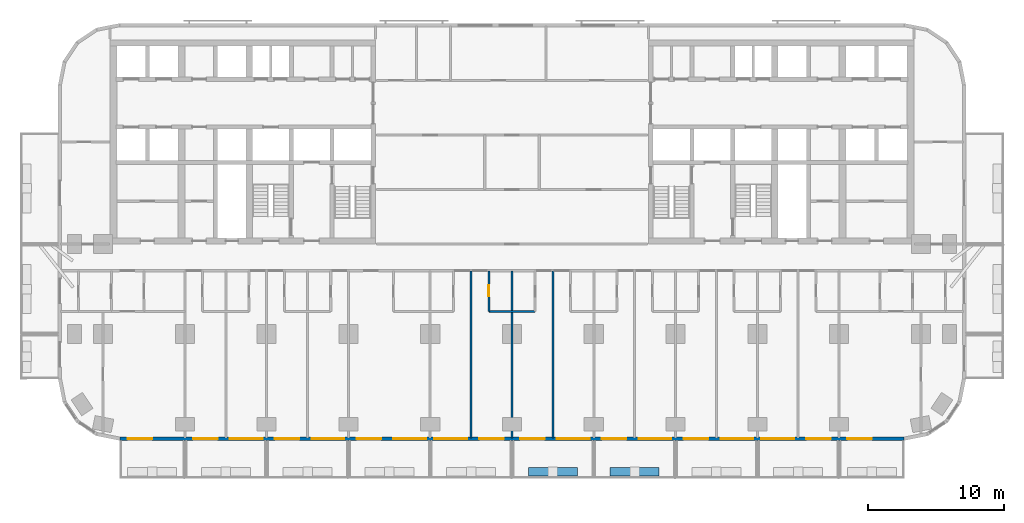
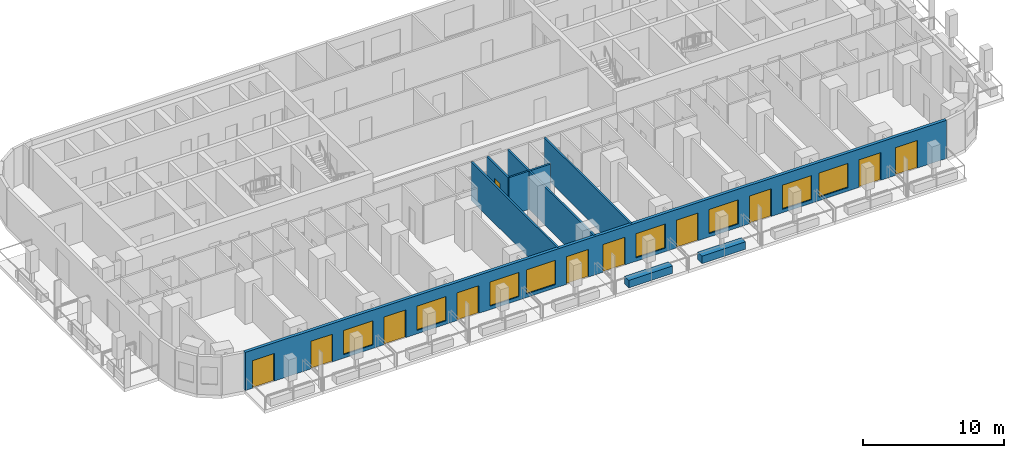
# One storey, part 5 of 15: 11 doors, 8 walls, 8 windows, 19 openings.
"""IFC4 building model written with IfcOpenShell, lengths in metres."""

import ifcopenshell
import ifcopenshell.guid

model = None  # the IFC model being written
_history = None  # IfcOwnerHistory: only IFC2X3 demands one
_inside = {}  # id of a spatial element -> (the spatial element, [elements in it])
_under = {}  # id of a project, library or spatial element -> (it, [spatial elements below it])
_declared = {}  # id of a project -> (the project, [libraries it declares])
_typed = {}  # id of a type object -> (the type object, [elements of that type])
_made_of = {}  # id of a material, layer set ... -> (it, [elements and type objects made of it])


def new_model(schema):
    """Start an empty IFC model of exactly this schema.

    Asked for "IFC4X3", IfcOpenShell would pick the latest addendum, in which some entities
    have other attributes; the version numbers below select the first issue.
    IFC2X3 requires an IfcOwnerHistory on every rooted entity: one is made here for all.
    """
    global model, _history
    if schema == "IFC4X3":
        model = ifcopenshell.file(schema_version=(4, 3, 0, 0))
    else:
        model = ifcopenshell.file(schema=schema)
    _inside.clear()
    _under.clear()
    _declared.clear()
    _typed.clear()
    _made_of.clear()
    _history = None
    if model.schema == "IFC2X3":
        org = make("IfcOrganization", Name="unknown")
        user = make(
            "IfcPersonAndOrganization",
            ThePerson=make("IfcPerson", FamilyName="unknown"),
            TheOrganization=org,
        )
        app = make(
            "IfcApplication",
            ApplicationDeveloper=org,
            Version="unknown",
            ApplicationFullName="unknown",
            ApplicationIdentifier="unknown",
        )
        _history = make(
            "IfcOwnerHistory",
            OwningUser=user,
            OwningApplication=app,
            ChangeAction="ADDED",
            CreationDate=0,
        )
    return model


def make(cls, **values):
    """One entity of the class cls with the attributes given. An attribute that is None is left unset."""
    return model.create_entity(
        cls, **{name: value for name, value in values.items() if value is not None}
    )


def rooted(cls, **values):
    """An entity with a GlobalId (a new one), such as an element, a storey or a relation."""
    return make(cls, GlobalId=ifcopenshell.guid.new(), OwnerHistory=_history, **values)


def si_unit(unit_type, name, prefix=None):
    """IfcSIUnit, for example si_unit("LENGTHUNIT", "METRE", prefix="MILLI")."""
    return make("IfcSIUnit", UnitType=unit_type, Prefix=prefix, Name=name)


def assignment(units):
    """IfcUnitAssignment: the units of a project."""
    return None if units is None else make("IfcUnitAssignment", Units=units)


def point(xyz):
    """IfcCartesianPoint."""
    return None if xyz is None else make("IfcCartesianPoint", Coordinates=xyz)


def direction(xyz):
    """IfcDirection."""
    return None if xyz is None else make("IfcDirection", DirectionRatios=xyz)


def frame(location, z_axis=None, x_axis=None):
    """IfcAxis2Placement3D, a coordinate frame: its origin and axes. An axis left out is left unset."""
    return make(
        "IfcAxis2Placement3D",
        Location=point(location),
        Axis=direction(z_axis),
        RefDirection=direction(x_axis),
    )


def frame_2d(location, x_axis=None):
    """IfcAxis2Placement2D, a coordinate frame in the plane: its origin and x axis."""
    return make(
        "IfcAxis2Placement2D", Location=point(location), RefDirection=direction(x_axis)
    )


def origin():
    """The frame at (0, 0, 0) with its axes left unset."""
    return frame((0.0, 0.0, 0.0))


def place(relative_to, where):
    """IfcLocalPlacement: puts the frame where relative to a parent placement (None: the world)."""
    return make(
        "IfcLocalPlacement", PlacementRelTo=relative_to, RelativePlacement=where
    )


def context(
    kind, dimensions, precision=None, world=None, true_north=None, identifier=None
):
    """IfcGeometricRepresentationContext, for example the 3D "Model" context."""
    return make(
        "IfcGeometricRepresentationContext",
        ContextIdentifier=identifier,
        ContextType=kind,
        CoordinateSpaceDimension=dimensions,
        Precision=precision,
        WorldCoordinateSystem=world,
        TrueNorth=true_north,
    )


def subcontext(parent, identifier, kind, view, scale=None):
    """IfcGeometricRepresentationSubContext, for example "Body" below "Model"."""
    return make(
        "IfcGeometricRepresentationSubContext",
        ContextIdentifier=identifier,
        ContextType=kind,
        ParentContext=parent,
        TargetScale=scale,
        TargetView=view,
    )


def project(units=None, contexts=None):
    """IfcProject with its units and contexts."""
    return rooted(
        "IfcProject",
        Name="project",
        RepresentationContexts=contexts,
        UnitsInContext=assignment(units),
    )


def spatial(cls, under=None, at=None, **own):
    """A site, building, storey or space (cls), placed at a placement, below another one or the project."""
    s = rooted(cls, ObjectPlacement=at, **own)
    if under is not None:
        _under.setdefault(under.id(), (under, []))[1].append(s)
    return s


def profile(cls, at=None, kind="AREA", **sizes):
    """A parametric profile (cls). Its sizes go by their IFC names, for example OverallWidth=200.0."""
    return make(cls, ProfileType=kind, Position=at, **sizes)


def rectangle(**sizes):
    """IfcRectangleProfileDef."""
    return profile("IfcRectangleProfileDef", **sizes)


def extrude(swept, where, along, depth):
    """IfcExtrudedAreaSolid: the profile swept, set in the frame where, extruded along a direction by depth."""
    return make(
        "IfcExtrudedAreaSolid",
        SweptArea=swept,
        Position=where,
        ExtrudedDirection=direction(along),
        Depth=depth,
    )


def shape(context_of_items, identifier, shape_type, items):
    """IfcShapeRepresentation: the items that make up one representation, for example the "Body"."""
    return make(
        "IfcShapeRepresentation",
        ContextOfItems=context_of_items,
        RepresentationIdentifier=identifier,
        RepresentationType=shape_type,
        Items=items,
    )


def material(Name=None, Category=None):
    """IfcMaterial."""
    return make("IfcMaterial", Name=Name, Category=Category)


def layer(
    of_material, thickness, ventilated=None, Name=None, Category=None, Priority=None
):
    """IfcMaterialLayer: one layer of a wall or slab, of a material (None: an air gap)."""
    return make(
        "IfcMaterialLayer",
        Material=of_material,
        LayerThickness=thickness,
        IsVentilated=ventilated,
        Name=Name,
        Category=Category,
        Priority=Priority,
    )


def layer_set(layers, Name=None):
    """IfcMaterialLayerSet."""
    return make("IfcMaterialLayerSet", MaterialLayers=layers, LayerSetName=Name)


def made_of(thing, what):
    """Note that an element or type object is made of a material, layer set ...; save() writes the relation."""
    if what is not None:
        _made_of.setdefault(what.id(), (what, []))[1].append(thing)
    return thing


def type_object(cls, material=None, **own):
    """A type object (cls), such as IfcWallType, which elements share."""
    return made_of(rooted(cls, **own), material)


def element(
    cls,
    number,
    at=None,
    inside=None,
    cuts=None,
    type_object=None,
    material=None,
    context=None,
    identifier="Body",
    shape_type=None,
    held_by="IfcProductDefinitionShape",
    body=None,
    shapes=None,
    **own,
):
    """One element of the class cls, such as IfcWall. Its Tag is "e" and its number.

    at: its placement. inside: the storey or other place that contains it. cuts: it is an
    opening in that element (IfcRelVoidsElement). A single representation is given by context,
    identifier, shape_type and body (its items); several are given by shapes. held_by: the class
    of the entity that holds the representations. save() writes the other relations.
    """
    e = rooted(cls, Tag="e%d" % number, ObjectPlacement=at, **own)
    if body is not None:
        shapes = [shape(context, identifier, shape_type, body)]
    if shapes is not None:
        e.Representation = make(held_by, Representations=shapes)
    if inside is not None:
        _inside.setdefault(inside.id(), (inside, []))[1].append(e)
    if cuts is not None:
        rooted(
            "IfcRelVoidsElement", RelatingBuildingElement=cuts, RelatedOpeningElement=e
        )
    if type_object is not None:
        _typed.setdefault(type_object.id(), (type_object, []))[1].append(e)
    return made_of(e, material)


def fill(opening, filler):
    """IfcRelFillsElement: the door or window that sits in an opening."""
    return rooted(
        "IfcRelFillsElement",
        RelatingOpeningElement=opening,
        RelatedBuildingElement=filler,
    )


def aggregate(whole, parts):
    """IfcRelAggregates: a whole, such as a stair, and the parts it consists of."""
    return rooted("IfcRelAggregates", RelatingObject=whole, RelatedObjects=parts)


def save(model, path):
    """Write the relations noted so far, then the file.

    IfcRelAggregates (storeys below a building ...), IfcRelContainedInSpatialStructure (elements
    in a storey), IfcRelDefinesByType, IfcRelAssociatesMaterial and IfcRelDeclares: one each for
    every whole, place, type object, material and project.
    """
    for whole, parts in _under.values():
        aggregate(whole, parts)
    for where, things in _inside.values():
        rooted(
            "IfcRelContainedInSpatialStructure",
            RelatedElements=things,
            RelatingStructure=where,
        )
    for kind, things in _typed.values():
        rooted("IfcRelDefinesByType", RelatedObjects=things, RelatingType=kind)
    for what, things in _made_of.values():
        rooted("IfcRelAssociatesMaterial", RelatedObjects=things, RelatingMaterial=what)
    for by, libraries in _declared.values():
        rooted("IfcRelDeclares", RelatingContext=by, RelatedDefinitions=libraries)
    model.write(path)


model = new_model("IFC4")

# Units and contexts
model_context = context("Model", 3, precision=1e-05, world=origin(), true_north=direction((0.0, 1.0)))
body_context = subcontext(model_context, "Body", "Model", "MODEL_VIEW")
ifc_project = project(units=[si_unit("LENGTHUNIT", "METRE"), si_unit("AREAUNIT", "SQUARE_METRE"), si_unit("VOLUMEUNIT", "CUBIC_METRE"), si_unit("PLANEANGLEUNIT", "RADIAN"), si_unit("MASSUNIT", "GRAM", prefix="KILO")], contexts=[model_context])

# Site, building, storey
site_placement = place(None, origin())
site = spatial("IfcSite", under=ifc_project, at=site_placement, CompositionType="ELEMENT")
building_placement = place(site_placement, origin())
building = spatial("IfcBuilding", under=site, at=building_placement, Name="Torana Hotel and Residences", CompositionType="ELEMENT")
storey_placement = place(building_placement, frame((0.0, 0.0, 24.0)))
storey = spatial("IfcBuildingStorey", under=building, at=storey_placement, Name="L04", CompositionType="ELEMENT", Elevation=24.0)

# Wall, openings, doors, windows
ifc_material_1 = material(Name="Black aluminium composite panel", Category="aluminium")
ifc_layer_1 = layer(ifc_material_1, 0.00390625, Name="Cladding", Category="cladding")
ifc_material_2 = material(Name="Ventilated air cavity")
ifc_layer_2 = layer(ifc_material_2, 0.0400390625, Name="Ventilated cavity", Category="cavity")
ifc_material_3 = material(Name="Mineral wool insulation")
ifc_layer_3 = layer(ifc_material_3, 0.090087890625, Name="Insulation", Category="insulation")
ifc_material_4 = material(Name="Steel S280GD", Category="steel")
ifc_layer_4 = layer(ifc_material_4, 0.092041015625, Name="Steel stud frame", Category="structure")
ifc_material_5 = material(Name="Fire rated plasterboard")
ifc_layer_5 = layer(ifc_material_5, 0.011962890625, Name="Inner board", Category="finish")
ifc_layer_6 = layer(ifc_material_5, 0.011962890625, Name="Second board", Category="finish")
ifc_layer_set_1 = layer_set([ifc_layer_1, ifc_layer_2, ifc_layer_3, ifc_layer_4, ifc_layer_5, ifc_layer_6], Name="EW1 EXTERNAL WALL BLACK METAL CLAD 250")
wall_type_1 = type_object("IfcWallType", Name="EW1 EXTERNAL WALL BLACK METAL CLAD 250", PredefinedType="SOLIDWALL", material=ifc_layer_set_1)
wall_1_placement = place(storey_placement, frame((-28.775390625, -29.27490234375, 0.0), z_axis=(0.0, 0.0, 1.0), x_axis=(1.0, 0.0, 0.0)))
wall_1 = element("IfcWall", 1, at=wall_1_placement, inside=storey, type_object=wall_type_1, Name="External wall L04 e0.14", PredefinedType="SOLIDWALL", context=body_context, shape_type="SweptSolid", body=[
    extrude(rectangle(XDim=57.55078125, YDim=0.25, at=frame_2d((28.775390625, 0.0))), origin(), (0.0, 0.0, 1.0), 3.320068359375),
])
opening_1_placement = place(wall_1_placement, frame((0.575439453125, 0.0, 0.0)))
opening_1 = element("IfcOpeningElement", 2, at=opening_1_placement, cuts=wall_1, Name="Opening L04-E01", PredefinedType="OPENING", context=body_context, shape_type="SweptSolid", body=[
    extrude(rectangle(XDim=1.800048828125, YDim=2.39990234375, at=frame_2d((0.89990234375, 1.199951171875))), frame((0.0, 0.135009765625, 0.0), z_axis=(0.0, -1.0, 0.0), x_axis=(1.0, 0.0, 0.0)), (0.0, 0.0, 1.0), 0.27001953125),
])
opening_2_placement = place(wall_1_placement, frame((5.37548828125, 0.0, 0.0)))
opening_2 = element("IfcOpeningElement", 3, at=opening_2_placement, cuts=wall_1, Name="Opening L04-E02", PredefinedType="OPENING", context=body_context, shape_type="SweptSolid", body=[
    extrude(rectangle(XDim=1.800048828125, YDim=2.39990234375, at=frame_2d((0.89990234375, 1.199951171875))), frame((0.0, 0.135009765625, 0.0), z_axis=(0.0, -1.0, 0.0), x_axis=(1.0, 0.0, 0.0)), (0.0, 0.0, 1.0), 0.27001953125),
])
opening_3_placement = place(wall_1_placement, frame((8.075439453125, 0.0, 0.300048828125)))
opening_3 = element("IfcOpeningElement", 4, at=opening_3_placement, cuts=wall_1, Name="Opening W1", PredefinedType="OPENING", context=body_context, shape_type="SweptSolid", body=[
    extrude(rectangle(XDim=2.39990234375, YDim=2.10009765625, at=frame_2d((1.199951171875, 1.050048828125))), frame((0.0, 0.135009765625, 0.0), z_axis=(0.0, -1.0, 0.0), x_axis=(1.0, 0.0, 0.0)), (0.0, 0.0, 1.0), 0.27001953125),
])
opening_4_placement = place(wall_1_placement, frame((11.37548828125, 0.0, 0.0)))
opening_4 = element("IfcOpeningElement", 5, at=opening_4_placement, cuts=wall_1, Name="Opening L04-E03", PredefinedType="OPENING", context=body_context, shape_type="SweptSolid", body=[
    extrude(rectangle(XDim=1.800048828125, YDim=2.39990234375, at=frame_2d((0.89990234375, 1.199951171875))), frame((0.0, 0.135009765625, 0.0), z_axis=(0.0, -1.0, 0.0), x_axis=(1.0, 0.0, 0.0)), (0.0, 0.0, 1.0), 0.27001953125),
])
opening_5_placement = place(wall_1_placement, frame((14.075439453125, 0.0, 0.300048828125)))
opening_5 = element("IfcOpeningElement", 6, at=opening_5_placement, cuts=wall_1, Name="Opening W1", PredefinedType="OPENING", context=body_context, shape_type="SweptSolid", body=[
    extrude(rectangle(XDim=2.39990234375, YDim=2.10009765625, at=frame_2d((1.199951171875, 1.050048828125))), frame((0.0, 0.135009765625, 0.0), z_axis=(0.0, -1.0, 0.0), x_axis=(1.0, 0.0, 0.0)), (0.0, 0.0, 1.0), 0.27001953125),
])
opening_6_placement = place(wall_1_placement, frame((17.37548828125, 0.0, 0.0)))
opening_6 = element("IfcOpeningElement", 7, at=opening_6_placement, cuts=wall_1, Name="Opening L04-E04", PredefinedType="OPENING", context=body_context, shape_type="SweptSolid", body=[
    extrude(rectangle(XDim=1.800048828125, YDim=2.39990234375, at=frame_2d((0.89990234375, 1.199951171875))), frame((0.0, 0.135009765625, 0.0), z_axis=(0.0, -1.0, 0.0), x_axis=(1.0, 0.0, 0.0)), (0.0, 0.0, 1.0), 0.27001953125),
])
opening_7_placement = place(wall_1_placement, frame((20.075439453125, 0.0, 0.300048828125)))
opening_7 = element("IfcOpeningElement", 8, at=opening_7_placement, cuts=wall_1, Name="Opening W1", PredefinedType="OPENING", context=body_context, shape_type="SweptSolid", body=[
    extrude(rectangle(XDim=2.39990234375, YDim=2.10009765625, at=frame_2d((1.199951171875, 1.050048828125))), frame((0.0, 0.135009765625, 0.0), z_axis=(0.0, -1.0, 0.0), x_axis=(1.0, 0.0, 0.0)), (0.0, 0.0, 1.0), 0.27001953125),
])
opening_8_placement = place(wall_1_placement, frame((23.075439453125, 0.0, 0.300048828125)))
opening_8 = element("IfcOpeningElement", 9, at=opening_8_placement, cuts=wall_1, Name="Opening W1", PredefinedType="OPENING", context=body_context, shape_type="SweptSolid", body=[
    extrude(rectangle(XDim=2.39990234375, YDim=2.10009765625, at=frame_2d((1.199951171875, 1.050048828125))), frame((0.0, 0.135009765625, 0.0), z_axis=(0.0, -1.0, 0.0), x_axis=(1.0, 0.0, 0.0)), (0.0, 0.0, 1.0), 0.27001953125),
])
opening_9_placement = place(wall_1_placement, frame((26.37548828125, 0.0, 0.0)))
opening_9 = element("IfcOpeningElement", 10, at=opening_9_placement, cuts=wall_1, Name="Opening L04-E05", PredefinedType="OPENING", context=body_context, shape_type="SweptSolid", body=[
    extrude(rectangle(XDim=1.800048828125, YDim=2.39990234375, at=frame_2d((0.89990234375, 1.199951171875))), frame((0.0, 0.135009765625, 0.0), z_axis=(0.0, -1.0, 0.0), x_axis=(1.0, 0.0, 0.0)), (0.0, 0.0, 1.0), 0.27001953125),
])
opening_10_placement = place(wall_1_placement, frame((29.37548828125, 0.0, 0.0)))
opening_10 = element("IfcOpeningElement", 11, at=opening_10_placement, cuts=wall_1, Name="Opening L04-E06", PredefinedType="OPENING", context=body_context, shape_type="SweptSolid", body=[
    extrude(rectangle(XDim=1.800048828125, YDim=2.39990234375, at=frame_2d((0.89990234375, 1.199951171875))), frame((0.0, 0.135009765625, 0.0), z_axis=(0.0, -1.0, 0.0), x_axis=(1.0, 0.0, 0.0)), (0.0, 0.0, 1.0), 0.27001953125),
])
opening_11_placement = place(wall_1_placement, frame((32.075439453125, 0.0, 0.300048828125)))
opening_11 = element("IfcOpeningElement", 12, at=opening_11_placement, cuts=wall_1, Name="Opening W1", PredefinedType="OPENING", context=body_context, shape_type="SweptSolid", body=[
    extrude(rectangle(XDim=2.39990234375, YDim=2.10009765625, at=frame_2d((1.199951171875, 1.050048828125))), frame((0.0, 0.135009765625, 0.0), z_axis=(0.0, -1.0, 0.0), x_axis=(1.0, 0.0, 0.0)), (0.0, 0.0, 1.0), 0.27001953125),
])
opening_12_placement = place(wall_1_placement, frame((35.37548828125, 0.0, 0.0)))
opening_12 = element("IfcOpeningElement", 13, at=opening_12_placement, cuts=wall_1, Name="Opening L04-E07", PredefinedType="OPENING", context=body_context, shape_type="SweptSolid", body=[
    extrude(rectangle(XDim=1.800048828125, YDim=2.39990234375, at=frame_2d((0.89990234375, 1.199951171875))), frame((0.0, 0.135009765625, 0.0), z_axis=(0.0, -1.0, 0.0), x_axis=(1.0, 0.0, 0.0)), (0.0, 0.0, 1.0), 0.27001953125),
])
opening_13_placement = place(wall_1_placement, frame((38.075439453125, 0.0, 0.300048828125)))
opening_13 = element("IfcOpeningElement", 14, at=opening_13_placement, cuts=wall_1, Name="Opening W1", PredefinedType="OPENING", context=body_context, shape_type="SweptSolid", body=[
    extrude(rectangle(XDim=2.39990234375, YDim=2.10009765625, at=frame_2d((1.199951171875, 1.050048828125))), frame((0.0, 0.135009765625, 0.0), z_axis=(0.0, -1.0, 0.0), x_axis=(1.0, 0.0, 0.0)), (0.0, 0.0, 1.0), 0.27001953125),
])
opening_14_placement = place(wall_1_placement, frame((41.37548828125, 0.0, 0.0)))
opening_14 = element("IfcOpeningElement", 15, at=opening_14_placement, cuts=wall_1, Name="Opening L04-E08", PredefinedType="OPENING", context=body_context, shape_type="SweptSolid", body=[
    extrude(rectangle(XDim=1.800048828125, YDim=2.39990234375, at=frame_2d((0.89990234375, 1.199951171875))), frame((0.0, 0.135009765625, 0.0), z_axis=(0.0, -1.0, 0.0), x_axis=(1.0, 0.0, 0.0)), (0.0, 0.0, 1.0), 0.27001953125),
])
opening_15_placement = place(wall_1_placement, frame((44.075439453125, 0.0, 0.300048828125)))
opening_15 = element("IfcOpeningElement", 16, at=opening_15_placement, cuts=wall_1, Name="Opening W1", PredefinedType="OPENING", context=body_context, shape_type="SweptSolid", body=[
    extrude(rectangle(XDim=2.39990234375, YDim=2.10009765625, at=frame_2d((1.199951171875, 1.050048828125))), frame((0.0, 0.135009765625, 0.0), z_axis=(0.0, -1.0, 0.0), x_axis=(1.0, 0.0, 0.0)), (0.0, 0.0, 1.0), 0.27001953125),
])
opening_16_placement = place(wall_1_placement, frame((47.075439453125, 0.0, 0.300048828125)))
opening_16 = element("IfcOpeningElement", 17, at=opening_16_placement, cuts=wall_1, Name="Opening W1", PredefinedType="OPENING", context=body_context, shape_type="SweptSolid", body=[
    extrude(rectangle(XDim=2.39990234375, YDim=2.10009765625, at=frame_2d((1.199951171875, 1.050048828125))), frame((0.0, 0.135009765625, 0.0), z_axis=(0.0, -1.0, 0.0), x_axis=(1.0, 0.0, 0.0)), (0.0, 0.0, 1.0), 0.27001953125),
])
opening_17_placement = place(wall_1_placement, frame((50.37548828125, 0.0, 0.0)))
opening_17 = element("IfcOpeningElement", 18, at=opening_17_placement, cuts=wall_1, Name="Opening L04-E09", PredefinedType="OPENING", context=body_context, shape_type="SweptSolid", body=[
    extrude(rectangle(XDim=1.800048828125, YDim=2.39990234375, at=frame_2d((0.89990234375, 1.199951171875))), frame((0.0, 0.135009765625, 0.0), z_axis=(0.0, -1.0, 0.0), x_axis=(1.0, 0.0, 0.0)), (0.0, 0.0, 1.0), 0.27001953125),
])
opening_18_placement = place(wall_1_placement, frame((53.37548828125, 0.0, 0.0)))
opening_18 = element("IfcOpeningElement", 19, at=opening_18_placement, cuts=wall_1, Name="Opening L04-E10", PredefinedType="OPENING", context=body_context, shape_type="SweptSolid", body=[
    extrude(rectangle(XDim=1.800048828125, YDim=2.39990234375, at=frame_2d((0.89990234375, 1.199951171875))), frame((0.0, 0.135009765625, 0.0), z_axis=(0.0, -1.0, 0.0), x_axis=(1.0, 0.0, 0.0)), (0.0, 0.0, 1.0), 0.27001953125),
])
ifc_material_6 = material(Name="Dark glass in black aluminium frame", Category="aluminium")
door_type_1 = type_object("IfcDoorType", Name="DB1 BALCONY DOOR 1800x2400", OperationType="DOUBLE_DOOR_SINGLE_SWING", PredefinedType="DOOR", material=ifc_material_6)
door_1_placement = place(opening_1_placement, origin())
door_1 = element("IfcDoor", 20, at=door_1_placement, inside=storey, type_object=door_type_1, Name="Balcony door L04", OperationType="DOUBLE_DOOR_SINGLE_SWING", OverallHeight=2.39990234375, OverallWidth=1.800048828125, PredefinedType="DOOR", context=body_context, shape_type="SweptSolid", body=[
    extrude(rectangle(XDim=1.800048828125, YDim=2.39990234375, at=frame_2d((0.89990234375, 1.199951171875))), frame((0.0, 0.02490234375, 0.0), z_axis=(0.0, -1.0, 0.0), x_axis=(1.0, 0.0, 0.0)), (0.0, 0.0, 1.0), 0.050048828125),
])
fill(opening_1, door_1)
door_2_placement = place(opening_2_placement, frame((0.89990234375, 0.0, 0.0), z_axis=(0.0, 0.0, 1.0), x_axis=(-1.0, 0.0, 0.0)))
door_2 = element("IfcDoor", 21, at=door_2_placement, inside=storey, type_object=door_type_1, Name="Balcony door L04", OperationType="DOUBLE_DOOR_SINGLE_SWING", OverallHeight=2.39990234375, OverallWidth=1.800048828125, PredefinedType="DOOR", context=body_context, shape_type="SweptSolid", body=[
    extrude(rectangle(XDim=1.800048828125, YDim=2.39990234375, at=frame_2d((0.0, 1.199951171875))), frame((0.0, -0.02490234375, 0.0), z_axis=(0.0, 1.0, 0.0), x_axis=(-1.0, 0.0, 0.0)), (0.0, 0.0, 1.0), 0.050048828125),
])
fill(opening_2, door_2)
door_3_placement = place(opening_4_placement, frame((0.89990234375, 0.0, 0.0), z_axis=(0.0, 0.0, 1.0), x_axis=(-1.0, 0.0, 0.0)))
door_3 = element("IfcDoor", 22, at=door_3_placement, inside=storey, type_object=door_type_1, Name="Balcony door L04", OperationType="DOUBLE_DOOR_SINGLE_SWING", OverallHeight=2.39990234375, OverallWidth=1.800048828125, PredefinedType="DOOR", context=body_context, shape_type="SweptSolid", body=[
    extrude(rectangle(XDim=1.800048828125, YDim=2.39990234375, at=frame_2d((0.0, 1.199951171875))), frame((0.0, -0.02490234375, 0.0), z_axis=(0.0, 1.0, 0.0), x_axis=(-1.0, 0.0, 0.0)), (0.0, 0.0, 1.0), 0.050048828125),
])
fill(opening_4, door_3)
door_4_placement = place(opening_6_placement, frame((0.89990234375, 0.0, 0.0), z_axis=(0.0, 0.0, 1.0), x_axis=(-1.0, 0.0, 0.0)))
door_4 = element("IfcDoor", 23, at=door_4_placement, inside=storey, type_object=door_type_1, Name="Balcony door L04", OperationType="DOUBLE_DOOR_SINGLE_SWING", OverallHeight=2.39990234375, OverallWidth=1.800048828125, PredefinedType="DOOR", context=body_context, shape_type="SweptSolid", body=[
    extrude(rectangle(XDim=1.800048828125, YDim=2.39990234375, at=frame_2d((0.0, 1.199951171875))), frame((0.0, -0.02490234375, 0.0), z_axis=(0.0, 1.0, 0.0), x_axis=(-1.0, 0.0, 0.0)), (0.0, 0.0, 1.0), 0.050048828125),
])
fill(opening_6, door_4)
door_5_placement = place(opening_9_placement, frame((0.89990234375, 0.0, 0.0), z_axis=(0.0, 0.0, 1.0), x_axis=(-1.0, 0.0, 0.0)))
door_5 = element("IfcDoor", 24, at=door_5_placement, inside=storey, type_object=door_type_1, Name="Balcony door L04", OperationType="DOUBLE_DOOR_SINGLE_SWING", OverallHeight=2.39990234375, OverallWidth=1.800048828125, PredefinedType="DOOR", context=body_context, shape_type="SweptSolid", body=[
    extrude(rectangle(XDim=1.800048828125, YDim=2.39990234375, at=frame_2d((0.0, 1.199951171875))), frame((0.0, -0.02490234375, 0.0), z_axis=(0.0, 1.0, 0.0), x_axis=(-1.0, 0.0, 0.0)), (0.0, 0.0, 1.0), 0.050048828125),
])
fill(opening_9, door_5)
door_6_placement = place(opening_10_placement, frame((0.89990234375, 0.0, 0.0), z_axis=(0.0, 0.0, 1.0), x_axis=(-1.0, 0.0, 0.0)))
door_6 = element("IfcDoor", 25, at=door_6_placement, inside=storey, type_object=door_type_1, Name="Balcony door L04", OperationType="DOUBLE_DOOR_SINGLE_SWING", OverallHeight=2.39990234375, OverallWidth=1.800048828125, PredefinedType="DOOR", context=body_context, shape_type="SweptSolid", body=[
    extrude(rectangle(XDim=1.800048828125, YDim=2.39990234375, at=frame_2d((0.0, 1.199951171875))), frame((0.0, -0.02490234375, 0.0), z_axis=(0.0, 1.0, 0.0), x_axis=(-1.0, 0.0, 0.0)), (0.0, 0.0, 1.0), 0.050048828125),
])
fill(opening_10, door_6)
door_7_placement = place(opening_12_placement, frame((0.89990234375, 0.0, 0.0), z_axis=(0.0, 0.0, 1.0), x_axis=(-1.0, 0.0, 0.0)))
door_7 = element("IfcDoor", 26, at=door_7_placement, inside=storey, type_object=door_type_1, Name="Balcony door L04", OperationType="DOUBLE_DOOR_SINGLE_SWING", OverallHeight=2.39990234375, OverallWidth=1.800048828125, PredefinedType="DOOR", context=body_context, shape_type="SweptSolid", body=[
    extrude(rectangle(XDim=1.800048828125, YDim=2.39990234375, at=frame_2d((0.0, 1.199951171875))), frame((0.0, -0.02490234375, 0.0), z_axis=(0.0, 1.0, 0.0), x_axis=(-1.0, 0.0, 0.0)), (0.0, 0.0, 1.0), 0.050048828125),
])
fill(opening_12, door_7)
door_8_placement = place(opening_14_placement, frame((0.89990234375, 0.0, 0.0), z_axis=(0.0, 0.0, 1.0), x_axis=(-1.0, 0.0, 0.0)))
door_8 = element("IfcDoor", 27, at=door_8_placement, inside=storey, type_object=door_type_1, Name="Balcony door L04", OperationType="DOUBLE_DOOR_SINGLE_SWING", OverallHeight=2.39990234375, OverallWidth=1.800048828125, PredefinedType="DOOR", context=body_context, shape_type="SweptSolid", body=[
    extrude(rectangle(XDim=1.800048828125, YDim=2.39990234375, at=frame_2d((0.0, 1.199951171875))), frame((0.0, -0.02490234375, 0.0), z_axis=(0.0, 1.0, 0.0), x_axis=(-1.0, 0.0, 0.0)), (0.0, 0.0, 1.0), 0.050048828125),
])
fill(opening_14, door_8)
door_9_placement = place(opening_17_placement, frame((0.89990234375, 0.0, 0.0), z_axis=(0.0, 0.0, 1.0), x_axis=(-1.0, 0.0, 0.0)))
door_9 = element("IfcDoor", 28, at=door_9_placement, inside=storey, type_object=door_type_1, Name="Balcony door L04", OperationType="DOUBLE_DOOR_SINGLE_SWING", OverallHeight=2.39990234375, OverallWidth=1.800048828125, PredefinedType="DOOR", context=body_context, shape_type="SweptSolid", body=[
    extrude(rectangle(XDim=1.800048828125, YDim=2.39990234375, at=frame_2d((0.0, 1.199951171875))), frame((0.0, -0.02490234375, 0.0), z_axis=(0.0, 1.0, 0.0), x_axis=(-1.0, 0.0, 0.0)), (0.0, 0.0, 1.0), 0.050048828125),
])
fill(opening_17, door_9)
door_10_placement = place(opening_18_placement, frame((0.89990234375, 0.0, 0.0), z_axis=(0.0, 0.0, 1.0), x_axis=(-1.0, 0.0, 0.0)))
door_10 = element("IfcDoor", 29, at=door_10_placement, inside=storey, type_object=door_type_1, Name="Balcony door L04", OperationType="DOUBLE_DOOR_SINGLE_SWING", OverallHeight=2.39990234375, OverallWidth=1.800048828125, PredefinedType="DOOR", context=body_context, shape_type="SweptSolid", body=[
    extrude(rectangle(XDim=1.800048828125, YDim=2.39990234375, at=frame_2d((0.0, 1.199951171875))), frame((0.0, -0.02490234375, 0.0), z_axis=(0.0, 1.0, 0.0), x_axis=(-1.0, 0.0, 0.0)), (0.0, 0.0, 1.0), 0.050048828125),
])
fill(opening_18, door_10)
ifc_material_7 = material(Name="Dark glass in black aluminium frame", Category="aluminium")
window_type = type_object("IfcWindowType", Name="W1 HOTEL ROOM WINDOW 2400x2100", PartitioningType="SINGLE_PANEL", PredefinedType="WINDOW", material=ifc_material_7)
window_1_placement = place(opening_3_placement, origin())
window_1 = element("IfcWindow", 30, at=window_1_placement, inside=storey, type_object=window_type, Name="Window L04", OverallHeight=2.10009765625, OverallWidth=2.39990234375, PartitioningType="SINGLE_PANEL", PredefinedType="WINDOW", context=body_context, shape_type="SweptSolid", body=[
    extrude(rectangle(XDim=2.39990234375, YDim=2.10009765625, at=frame_2d((1.199951171875, 1.050048828125))), frame((0.0, 0.030029296875, 0.0), z_axis=(0.0, -1.0, 0.0), x_axis=(1.0, 0.0, 0.0)), (0.0, 0.0, 1.0), 0.06005859375),
])
fill(opening_3, window_1)
window_2_placement = place(opening_5_placement, origin())
window_2 = element("IfcWindow", 31, at=window_2_placement, inside=storey, type_object=window_type, Name="Window L04", OverallHeight=2.10009765625, OverallWidth=2.39990234375, PartitioningType="SINGLE_PANEL", PredefinedType="WINDOW", context=body_context, shape_type="SweptSolid", body=[
    extrude(rectangle(XDim=2.39990234375, YDim=2.10009765625, at=frame_2d((1.199951171875, 1.050048828125))), frame((0.0, 0.030029296875, 0.0), z_axis=(0.0, -1.0, 0.0), x_axis=(1.0, 0.0, 0.0)), (0.0, 0.0, 1.0), 0.06005859375),
])
fill(opening_5, window_2)
window_3_placement = place(opening_7_placement, origin())
window_3 = element("IfcWindow", 32, at=window_3_placement, inside=storey, type_object=window_type, Name="Window L04", OverallHeight=2.10009765625, OverallWidth=2.39990234375, PartitioningType="SINGLE_PANEL", PredefinedType="WINDOW", context=body_context, shape_type="SweptSolid", body=[
    extrude(rectangle(XDim=2.39990234375, YDim=2.10009765625, at=frame_2d((1.199951171875, 1.050048828125))), frame((0.0, 0.030029296875, 0.0), z_axis=(0.0, -1.0, 0.0), x_axis=(1.0, 0.0, 0.0)), (0.0, 0.0, 1.0), 0.06005859375),
])
fill(opening_7, window_3)
window_4_placement = place(opening_8_placement, origin())
window_4 = element("IfcWindow", 33, at=window_4_placement, inside=storey, type_object=window_type, Name="Window L04", OverallHeight=2.10009765625, OverallWidth=2.39990234375, PartitioningType="SINGLE_PANEL", PredefinedType="WINDOW", context=body_context, shape_type="SweptSolid", body=[
    extrude(rectangle(XDim=2.39990234375, YDim=2.10009765625, at=frame_2d((1.199951171875, 1.050048828125))), frame((0.0, 0.030029296875, 0.0), z_axis=(0.0, -1.0, 0.0), x_axis=(1.0, 0.0, 0.0)), (0.0, 0.0, 1.0), 0.06005859375),
])
fill(opening_8, window_4)
window_5_placement = place(opening_11_placement, origin())
window_5 = element("IfcWindow", 34, at=window_5_placement, inside=storey, type_object=window_type, Name="Window L04", OverallHeight=2.10009765625, OverallWidth=2.39990234375, PartitioningType="SINGLE_PANEL", PredefinedType="WINDOW", context=body_context, shape_type="SweptSolid", body=[
    extrude(rectangle(XDim=2.39990234375, YDim=2.10009765625, at=frame_2d((1.199951171875, 1.050048828125))), frame((0.0, 0.030029296875, 0.0), z_axis=(0.0, -1.0, 0.0), x_axis=(1.0, 0.0, 0.0)), (0.0, 0.0, 1.0), 0.06005859375),
])
fill(opening_11, window_5)
window_6_placement = place(opening_13_placement, origin())
window_6 = element("IfcWindow", 35, at=window_6_placement, inside=storey, type_object=window_type, Name="Window L04", OverallHeight=2.10009765625, OverallWidth=2.39990234375, PartitioningType="SINGLE_PANEL", PredefinedType="WINDOW", context=body_context, shape_type="SweptSolid", body=[
    extrude(rectangle(XDim=2.39990234375, YDim=2.10009765625, at=frame_2d((1.199951171875, 1.050048828125))), frame((0.0, 0.030029296875, 0.0), z_axis=(0.0, -1.0, 0.0), x_axis=(1.0, 0.0, 0.0)), (0.0, 0.0, 1.0), 0.06005859375),
])
fill(opening_13, window_6)
window_7_placement = place(opening_15_placement, origin())
window_7 = element("IfcWindow", 36, at=window_7_placement, inside=storey, type_object=window_type, Name="Window L04", OverallHeight=2.10009765625, OverallWidth=2.39990234375, PartitioningType="SINGLE_PANEL", PredefinedType="WINDOW", context=body_context, shape_type="SweptSolid", body=[
    extrude(rectangle(XDim=2.39990234375, YDim=2.10009765625, at=frame_2d((1.199951171875, 1.050048828125))), frame((0.0, 0.030029296875, 0.0), z_axis=(0.0, -1.0, 0.0), x_axis=(1.0, 0.0, 0.0)), (0.0, 0.0, 1.0), 0.06005859375),
])
fill(opening_15, window_7)
window_8_placement = place(opening_16_placement, origin())
window_8 = element("IfcWindow", 37, at=window_8_placement, inside=storey, type_object=window_type, Name="Window L04", OverallHeight=2.10009765625, OverallWidth=2.39990234375, PartitioningType="SINGLE_PANEL", PredefinedType="WINDOW", context=body_context, shape_type="SweptSolid", body=[
    extrude(rectangle(XDim=2.39990234375, YDim=2.10009765625, at=frame_2d((1.199951171875, 1.050048828125))), frame((0.0, 0.030029296875, 0.0), z_axis=(0.0, -1.0, 0.0), x_axis=(1.0, 0.0, 0.0)), (0.0, 0.0, 1.0), 0.06005859375),
])
fill(opening_16, window_8)

# Walls
ifc_material_8 = material(Name="Gypsum plasterboard")
ifc_layer_7 = layer(ifc_material_8, 0.012451171875, Name="Plasterboard", Category="finish")
ifc_layer_8 = layer(ifc_material_8, 0.012451171875, Name="Plasterboard", Category="finish")
ifc_layer_9 = layer(ifc_material_4, 0.10009765625, Name="Steel studs with mineral wool", Category="insulation")
ifc_layer_10 = layer(ifc_material_8, 0.012451171875, Name="Plasterboard", Category="finish")
ifc_layer_11 = layer(ifc_material_8, 0.012451171875, Name="Plasterboard", Category="finish")
ifc_layer_set_2 = layer_set([ifc_layer_7, ifc_layer_8, ifc_layer_9, ifc_layer_10, ifc_layer_11], Name="PARTITION 150 PLASTERBOARD")
wall_type_2 = type_object("IfcWallType", Name="PARTITION 150 PLASTERBOARD", PredefinedType="PARTITIONING", material=ifc_layer_set_2)
for number, where, z_axis, x_axis, name in (
    (38, (3.0, -29.219970703125, 0.0), (0.0, 0.0, 1.0), (0.0, 1.0, 0.0), "Partition L04"),
    (39, (0.0, -29.219970703125, 0.0), (0.0, 0.0, 1.0), (0.0, 1.0, 0.0), "Partition L04"),
):
    element("IfcWall", number, at=place(storey_placement, frame(where, z_axis=z_axis, x_axis=x_axis)), inside=storey, type_object=wall_type_2, Name=name, PredefinedType="PARTITIONING", context=body_context, shape_type="SweptSolid", body=[
        extrude(rectangle(XDim=12.27001953125, YDim=0.14990234375, at=frame_2d((6.135009765625, 0.0))), origin(), (0.0, 0.0, 1.0), 3.320068359375),
    ])

# Wall, opening, door
wall_2_placement = place(storey_placement, frame((-1.699951171875, -19.949951171875, 0.0), z_axis=(0.0, 0.0, 1.0), x_axis=(0.0, 1.0, 0.0)))
wall_2 = element("IfcWall", 40, at=wall_2_placement, inside=storey, type_object=wall_type_2, Name="Partition L04", PredefinedType="PARTITIONING", context=body_context, shape_type="SweptSolid", body=[
    extrude(rectangle(XDim=3.0, YDim=0.14990234375, at=frame_2d((1.5, 0.0))), origin(), (0.0, 0.0, 1.0), 3.320068359375),
])
opening_19_placement = place(wall_2_placement, frame((1.1201171875, 0.0, 0.0)))
opening_19 = element("IfcOpeningElement", 41, at=opening_19_placement, cuts=wall_2, Name="Opening L04-73", PredefinedType="OPENING", context=body_context, shape_type="SweptSolid", body=[
    extrude(rectangle(XDim=0.800048828125, YDim=2.10009765625, at=frame_2d((0.39990234375, 1.050048828125))), frame((0.0, 0.0849609375, 0.0), z_axis=(0.0, -1.0, 0.0), x_axis=(1.0, 0.0, 0.0)), (0.0, 0.0, 1.0), 0.169921875),
])
ifc_material_9 = material(Name="Timber door, painted", Category="wood")
door_type_2 = type_object("IfcDoorType", Name="BATH DOOR D13 800x2100", OperationType="SINGLE_SWING_LEFT", PredefinedType="DOOR", material=ifc_material_9)
door_11_placement = place(opening_19_placement, origin())
door_11 = element("IfcDoor", 42, at=door_11_placement, inside=storey, type_object=door_type_2, Name="Door L04", OperationType="SINGLE_SWING_LEFT", OverallHeight=2.10009765625, OverallWidth=0.800048828125, PredefinedType="DOOR", context=body_context, shape_type="SweptSolid", body=[
    extrude(rectangle(XDim=0.800048828125, YDim=2.10009765625, at=frame_2d((0.39990234375, 1.050048828125))), frame((0.0, 0.02490234375, 0.0), z_axis=(0.0, -1.0, 0.0), x_axis=(1.0, 0.0, 0.0)), (0.0, 0.0, 1.0), 0.050048828125),
])
fill(opening_19, door_11)

# Walls
wall_3_placement = place(storey_placement, frame((-3.0, -29.219970703125, 0.0), z_axis=(0.0, 0.0, 1.0), x_axis=(0.0, 1.0, 0.0)))
element("IfcWall", 43, at=wall_3_placement, inside=storey, type_object=wall_type_2, Name="Partition L04", PredefinedType="PARTITIONING", context=body_context, shape_type="SweptSolid", body=[
    extrude(rectangle(XDim=12.27001953125, YDim=0.14990234375, at=frame_2d((6.135009765625, 0.0))), origin(), (0.0, 0.0, 1.0), 3.320068359375),
])
wall_4_placement = place(storey_placement, frame((-1.699951171875, -19.949951171875, 0.0), z_axis=(0.0, 0.0, 1.0), x_axis=(1.0, 0.0, 0.0)))
element("IfcWall", 44, at=wall_4_placement, inside=storey, type_object=wall_type_2, Name="Partition L04", PredefinedType="PARTITIONING", context=body_context, shape_type="SweptSolid", body=[
    extrude(rectangle(XDim=3.39990234375, YDim=0.14990234375, at=frame_2d((1.699951171875, 0.0))), origin(), (0.0, 0.0, 1.0), 3.320068359375),
])
ifc_material_10 = material(Name="Concrete C40/50 precast", Category="concrete")
ifc_layer_12 = layer(ifc_material_10, 0.10009765625, Name="Planter shell", Category="structure")
ifc_material_11 = material(Name="Root resistant membrane")
ifc_layer_13 = layer(ifc_material_11, 0.00390625, Name="Waterproofing membrane", Category="membrane")
ifc_material_12 = material(Name="Drainage board with filter fleece")
ifc_layer_14 = layer(ifc_material_12, 0.02001953125, Name="Drainage board", Category="drainage")
ifc_material_13 = material(Name="Growing medium")
ifc_layer_15 = layer(ifc_material_13, 0.47607421875, Name="Planting substrate", Category="soil")
ifc_layer_set_3 = layer_set([ifc_layer_12, ifc_layer_13, ifc_layer_14, ifc_layer_15], Name="PL1 BALCONY PLANTER 600")
wall_type_3 = type_object("IfcWallType", Name="PL1 BALCONY PLANTER 600", PredefinedType="USERDEFINED", material=ifc_layer_set_3)
for number, where, z_axis, x_axis, name in (
    (45, (4.800048828125, -31.699951171875, 0.0), (0.0, 0.0, 1.0), (-1.0, 0.0, 0.0), "Planter 06"),
    (46, (10.800048828125, -31.699951171875, 0.0), (0.0, 0.0, 1.0), (-1.0, 0.0, 0.0), "Planter 07"),
):
    element("IfcWall", number, at=place(storey_placement, frame(where, z_axis=z_axis, x_axis=x_axis)), inside=storey, type_object=wall_type_3, Name=name, ObjectType="PLANTER", PredefinedType="USERDEFINED", context=body_context, shape_type="SweptSolid", body=[
        extrude(rectangle(XDim=3.60009765625, YDim=0.60009765625, at=frame_2d((1.800048828125, 0.0))), origin(), (0.0, 0.0, 1.0), 0.64990234375),
    ])

save(model, "model.ifc")
